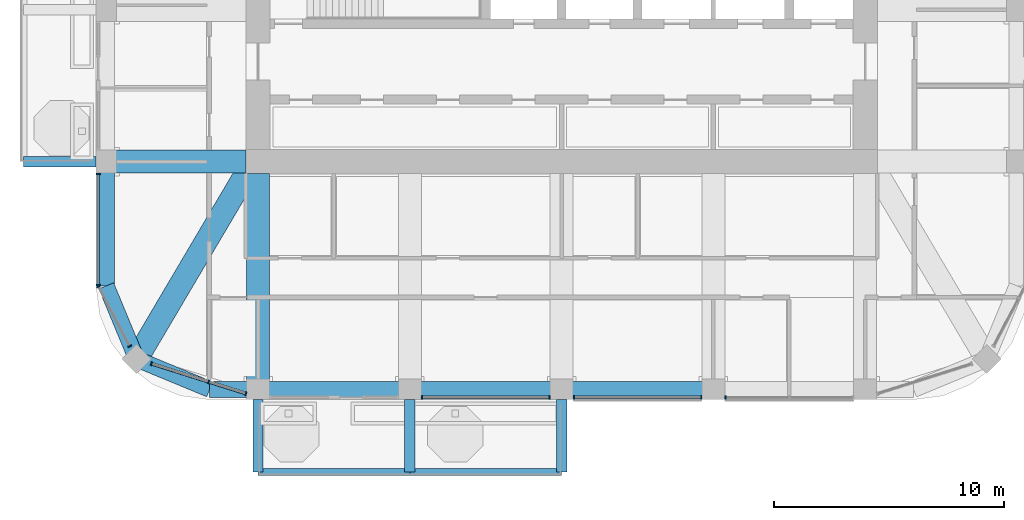
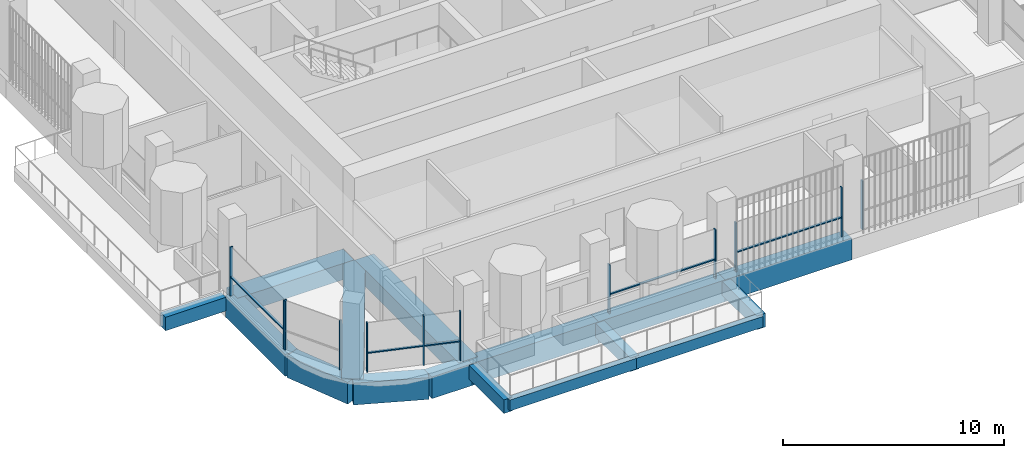
# One storey, part 2 of 20: 17 members, 16 beams, 6 elements without a shape of their own.
"""IFC4 building model written with IfcOpenShell, lengths in metres."""

from ifc_helpers import new_model, si_unit, direction, frame, origin, origin_2d, place, context, subcontext, project, spatial, rectangle, extrude, material, material_profile, profile_set, type_object, element, aggregate, save


model = new_model("IFC4")

# Units and contexts
model_context = context("Model", 3, precision=1e-05, world=origin(), true_north=direction((0.0, 1.0)))
body_context = subcontext(model_context, "Body", "Model", "MODEL_VIEW")
ifc_project = project(units=[si_unit("LENGTHUNIT", "METRE"), si_unit("AREAUNIT", "SQUARE_METRE"), si_unit("VOLUMEUNIT", "CUBIC_METRE"), si_unit("PLANEANGLEUNIT", "RADIAN"), si_unit("MASSUNIT", "GRAM", prefix="KILO")], contexts=[model_context])

# Site, building, storey
site_placement = place(None, origin())
site = spatial("IfcSite", under=ifc_project, at=site_placement, CompositionType="ELEMENT")
building_placement = place(site_placement, origin())
building = spatial("IfcBuilding", under=site, at=building_placement, Name="Cobogo Forest Laboratory Tower", CompositionType="ELEMENT")
storey_placement = place(building_placement, frame((0.0, 0.0, 279.60009765625)))
storey = spatial("IfcBuildingStorey", under=building, at=storey_placement, Name="L64", CompositionType="ELEMENT", Elevation=279.60009765625)

# Beams
ifc_material_1 = material(Name="Concrete HA-40 (C40/50)", Category="concrete")
ifc_material_profile_1 = material_profile(ifc_material_1, rectangle(XDim=0.449951171875, YDim=0.75, at=origin_2d()), Name="RC 450x750")
ifc_profile_set_1 = profile_set([ifc_material_profile_1], Name="Concrete HA-40 (C40/50)")
beam_type_1 = type_object("IfcBeamType", Name="Balcony cantilever beam 450x750", PredefinedType="BEAM", material=ifc_profile_set_1)
for number, where, z_axis, x_axis, name in (
    (1, (13.199951171875, 2.85009765625, -0.625), (0.0, -1.0, 0.0), (1.0, 0.0, 0.0), "CB1 BAL-S1-C1 L64"),
    (2, (19.800048828125, 2.85009765625, -0.625), (0.0, -1.0, 0.0), (1.0, 0.0, 0.0), "CB1 BAL-S1-C2 L64"),
    (3, (26.39990234375, 2.85009765625, -0.625), (0.0, -1.0, 0.0), (1.0, 0.0, 0.0), "CB1 BAL-S1-C3 L64"),
):
    element("IfcBeam", number, at=place(storey_placement, frame(where, z_axis=z_axis, x_axis=x_axis)), inside=storey, type_object=beam_type_1, Name=name, PredefinedType="BEAM", context=body_context, shape_type="SweptSolid", body=[
        extrude(rectangle(XDim=0.449951171875, YDim=0.75, at=origin_2d()), origin(), (0.0, 0.0, 1.0), 3.150146484375),
    ])
beam_1_placement = place(storey_placement, frame((6.14990234375, 13.199951171875, -0.625), z_axis=(-1.0, 0.0, 0.0), x_axis=(0.0, -1.0, 0.0)))
element("IfcBeam", 4, at=beam_1_placement, inside=storey, type_object=beam_type_1, Name="CB1 BAL-W1-C1 L64", PredefinedType="BEAM", context=body_context, shape_type="SweptSolid", body=[
    extrude(rectangle(XDim=0.449951171875, YDim=0.75, at=origin_2d()), origin(), (0.0, 0.0, 1.0), 3.14990234375),
])
ifc_material_profile_2 = material_profile(ifc_material_1, rectangle(XDim=0.300048828125, YDim=0.60009765625, at=origin_2d()), Name="RC 300x600")
ifc_profile_set_2 = profile_set([ifc_material_profile_2], Name="Concrete HA-40 (C40/50)")
beam_type_2 = type_object("IfcBeamType", Name="Balcony edge beam 300x600", PredefinedType="BEAM", material=ifc_profile_set_2)
beam_2_placement = place(storey_placement, frame((13.199951171875, -0.300048828125, -0.550048828125), z_axis=(1.0, 0.0, 0.0), x_axis=(0.0, 1.0, 0.0)))
element("IfcBeam", 5, at=beam_2_placement, inside=storey, type_object=beam_type_2, Name="BB1 BAL-S1-T1 L64", PredefinedType="BEAM", context=body_context, shape_type="SweptSolid", body=[
    extrude(rectangle(XDim=0.300048828125, YDim=0.60009765625, at=origin_2d()), origin(), (0.0, 0.0, 1.0), 6.60009765625),
])
beam_3_placement = place(storey_placement, frame((19.800048828125, -0.300048828125, -0.550048828125), z_axis=(1.0, 0.0, 0.0), x_axis=(0.0, 1.0, 0.0)))
element("IfcBeam", 6, at=beam_3_placement, inside=storey, type_object=beam_type_2, Name="BB1 BAL-S1-T2 L64", PredefinedType="BEAM", context=body_context, shape_type="SweptSolid", body=[
    extrude(rectangle(XDim=0.300048828125, YDim=0.60009765625, at=origin_2d()), origin(), (0.0, 0.0, 1.0), 6.599853515625),
])

# Curtain wall, members
ifc_material_2 = material(Name="Aluminium curtain wall", Category="aluminium")
curtain_wall_type = type_object("IfcCurtainWallType", Name="CW-2 unitised curtain wall, solar control glazing, laboratory floors zones C and D", PredefinedType="USERDEFINED", material=ifc_material_2)
curtain_wall_1_placement = place(storey_placement, origin())
curtain_wall_1 = element("IfcCurtainWall", 7, at=curtain_wall_1_placement, inside=storey, type_object=curtain_wall_type, Name="Curtain wall 02 L64", ObjectType="UNITISED CURTAIN WALL", PredefinedType="USERDEFINED")
ifc_material_3 = material(Name="Aluminium mullion", Category="aluminium")
ifc_material_profile_3 = material_profile(ifc_material_3, rectangle(XDim=0.06005859375, YDim=0.159912109375, at=origin_2d()), Name="AL 60x160")
ifc_profile_set_3 = profile_set([ifc_material_profile_3], Name="Aluminium mullion")
member_type_1 = type_object("IfcMemberType", Name="MU-1 aluminium mullion 60x160", PredefinedType="MULLION", material=ifc_profile_set_3)
member_1_placement = place(storey_placement, frame((20.330078125, 2.949951171875, 0.0), z_axis=(0.0, 0.0, 1.0), x_axis=(1.0, 0.0, 0.0)))
member_1 = element("IfcMember", 8, at=member_1_placement, type_object=member_type_1, Name="CW-2 mullion 1", PredefinedType="MULLION", context=body_context, shape_type="SweptSolid", body=[
    extrude(rectangle(XDim=0.06005859375, YDim=0.159912109375, at=origin_2d()), origin(), (0.0, 0.0, 1.0), 2.699951171875),
])
member_2_placement = place(storey_placement, frame((25.8701171875, 2.949951171875, 0.0), z_axis=(0.0, 0.0, 1.0), x_axis=(1.0, 0.0, 0.0)))
member_2 = element("IfcMember", 9, at=member_2_placement, type_object=member_type_1, Name="CW-2 mullion 2", PredefinedType="MULLION", context=body_context, shape_type="SweptSolid", body=[
    extrude(rectangle(XDim=0.06005859375, YDim=0.159912109375, at=origin_2d()), origin(), (0.0, 0.0, 1.0), 2.699951171875),
])

curtain_wall_2_placement = place(storey_placement, origin())
curtain_wall_2 = element("IfcCurtainWall", 10, at=curtain_wall_2_placement, inside=storey, type_object=curtain_wall_type, Name="Curtain wall 03 L64", ObjectType="UNITISED CURTAIN WALL", PredefinedType="USERDEFINED")
member_3_placement = place(storey_placement, frame((26.929931640625, 2.949951171875, 0.0), z_axis=(0.0, 0.0, 1.0), x_axis=(1.0, 0.0, 0.0)))
member_3 = element("IfcMember", 11, at=member_3_placement, type_object=member_type_1, Name="CW-2 mullion 1", PredefinedType="MULLION", context=body_context, shape_type="SweptSolid", body=[
    extrude(rectangle(XDim=0.06005859375, YDim=0.159912109375, at=origin_2d()), origin(), (0.0, 0.0, 1.0), 2.699951171875),
])
member_4_placement = place(storey_placement, frame((32.469970703125, 2.949951171875, 0.0), z_axis=(0.0, 0.0, 1.0), x_axis=(1.0, 0.0, 0.0)))
member_4 = element("IfcMember", 12, at=member_4_placement, type_object=member_type_1, Name="CW-2 mullion 2", PredefinedType="MULLION", context=body_context, shape_type="SweptSolid", body=[
    extrude(rectangle(XDim=0.06005859375, YDim=0.159912109375, at=origin_2d()), origin(), (0.0, 0.0, 1.0), 2.699951171875),
])

# Curtain wall, member
curtain_wall_3_placement = place(storey_placement, origin())
curtain_wall_3 = element("IfcCurtainWall", 13, at=curtain_wall_3_placement, inside=storey, type_object=curtain_wall_type, Name="Curtain wall 04 L64", ObjectType="UNITISED CURTAIN WALL", PredefinedType="USERDEFINED")
member_5_placement = place(storey_placement, frame((33.530029296875, 2.949951171875, 0.0), z_axis=(0.0, 0.0, 1.0), x_axis=(1.0, 0.0, 0.0)))
member_5 = element("IfcMember", 14, at=member_5_placement, type_object=member_type_1, Name="CW-2 mullion 1", PredefinedType="MULLION", context=body_context, shape_type="SweptSolid", body=[
    extrude(rectangle(XDim=0.06005859375, YDim=0.159912109375, at=origin_2d()), origin(), (0.0, 0.0, 1.0), 2.699951171875),
])
aggregate(curtain_wall_3, [member_5])

# Curtain wall, members
curtain_wall_4_placement = place(storey_placement, origin())
curtain_wall_4 = element("IfcCurtainWall", 15, at=curtain_wall_4_placement, inside=storey, type_object=curtain_wall_type, Name="Curtain wall 24 L64", ObjectType="UNITISED CURTAIN WALL", PredefinedType="USERDEFINED")
member_6_placement = place(storey_placement, frame((6.25, 12.669921875, 0.0), z_axis=(0.0, 0.0, 1.0), x_axis=(0.0, -1.0, 0.0)))
member_6 = element("IfcMember", 16, at=member_6_placement, type_object=member_type_1, Name="CW-2 mullion 1", PredefinedType="MULLION", context=body_context, shape_type="SweptSolid", body=[
    extrude(rectangle(XDim=0.06005859375, YDim=0.159912109375, at=origin_2d()), origin(), (0.0, 0.0, 1.0), 2.699951171875),
])
member_7_placement = place(storey_placement, frame((6.25, 7.830078125, 0.0), z_axis=(0.0, 0.0, 1.0), x_axis=(0.0, -1.0, 0.0)))
member_7 = element("IfcMember", 17, at=member_7_placement, type_object=member_type_1, Name="CW-2 mullion 2", PredefinedType="MULLION", context=body_context, shape_type="SweptSolid", body=[
    extrude(rectangle(XDim=0.06005859375, YDim=0.159912109375, at=origin_2d()), origin(), (0.0, 0.0, 1.0), 2.699951171875),
])

curtain_wall_5_placement = place(storey_placement, origin())
curtain_wall_5 = element("IfcCurtainWall", 18, at=curtain_wall_5_placement, inside=storey, type_object=curtain_wall_type, Name="Curtain wall 25 L64", ObjectType="UNITISED CURTAIN WALL", PredefinedType="USERDEFINED")
member_8_placement = place(storey_placement, frame((6.263916015625, 7.7734375, 0.0), z_axis=(0.0, 0.0, 1.0), x_axis=(0.464283778337, -0.885686498245, 0.0)))
member_8 = element("IfcMember", 19, at=member_8_placement, type_object=member_type_1, Name="CW-2 mullion 1", PredefinedType="MULLION", context=body_context, shape_type="SweptSolid", body=[
    extrude(rectangle(XDim=0.06005859375, YDim=0.159912109375, at=origin_2d()), origin(), (0.0, 0.0, 1.0), 2.699951171875),
])
member_9_placement = place(storey_placement, frame((7.6220703125, 5.1826171875, 0.0), z_axis=(0.0, 0.0, 1.0), x_axis=(0.464283778337, -0.885686498245, 0.0)))
member_9 = element("IfcMember", 20, at=member_9_placement, type_object=member_type_1, Name="CW-2 mullion 2", PredefinedType="MULLION", context=body_context, shape_type="SweptSolid", body=[
    extrude(rectangle(XDim=0.06005859375, YDim=0.159912109375, at=origin_2d()), origin(), (0.0, 0.0, 1.0), 2.699951171875),
])
aggregate(curtain_wall_5, [member_8, member_9])

curtain_wall_6_placement = place(storey_placement, origin())
curtain_wall_6 = element("IfcCurtainWall", 21, at=curtain_wall_6_placement, inside=storey, type_object=curtain_wall_type, Name="Curtain wall 26 L64", ObjectType="UNITISED CURTAIN WALL", PredefinedType="USERDEFINED")
member_10_placement = place(storey_placement, frame((8.570068359375, 4.412109375, 0.0), z_axis=(0.0, 0.0, 1.0), x_axis=(0.953581379409, -0.301135439371, 0.0)))
member_10 = element("IfcMember", 22, at=member_10_placement, type_object=member_type_1, Name="CW-2 mullion 1", PredefinedType="MULLION", context=body_context, shape_type="SweptSolid", body=[
    extrude(rectangle(XDim=0.06005859375, YDim=0.159912109375, at=origin_2d()), origin(), (0.0, 0.0, 1.0), 2.699951171875),
])
member_11_placement = place(storey_placement, frame((11.051025390625, 3.628662109375, 0.0), z_axis=(0.0, 0.0, 1.0), x_axis=(0.953581379409, -0.301135439371, 0.0)))
member_11 = element("IfcMember", 23, at=member_11_placement, type_object=member_type_1, Name="CW-2 mullion 2", PredefinedType="MULLION", context=body_context, shape_type="SweptSolid", body=[
    extrude(rectangle(XDim=0.06005859375, YDim=0.159912109375, at=origin_2d()), origin(), (0.0, 0.0, 1.0), 2.699951171875),
])
member_12_placement = place(storey_placement, frame((12.67138671875, 3.116943359375, 0.0), z_axis=(0.0, 0.0, 1.0), x_axis=(0.953581379409, -0.301135439371, 0.0)))
member_12 = element("IfcMember", 24, at=member_12_placement, type_object=member_type_1, Name="CW-2 mullion 3", PredefinedType="MULLION", context=body_context, shape_type="SweptSolid", body=[
    extrude(rectangle(XDim=0.06005859375, YDim=0.159912109375, at=origin_2d()), origin(), (0.0, 0.0, 1.0), 2.699951171875),
])

# Beams
ifc_material_profile_4 = material_profile(ifc_material_1, rectangle(XDim=1.0, YDim=0.89990234375, at=origin_2d()), Name="RC 1000x900")
ifc_profile_set_4 = profile_set([ifc_material_profile_4], Name="Concrete HA-40 (C40/50)")
beam_type_3 = type_object("IfcBeamType", Name="Office floor wide beam 1000x900", PredefinedType="BEAM", material=ifc_profile_set_4)
beam_4_placement = place(storey_placement, frame((13.199951171875, 12.675048828125, -0.75), z_axis=(0.0, -1.0, 0.0), x_axis=(1.0, 0.0, 0.0)))
element("IfcBeam", 25, at=beam_4_placement, inside=storey, type_object=beam_type_3, Name="RB2 R-3-S L64", PredefinedType="BEAM", context=body_context, shape_type="SweptSolid", body=[
    extrude(rectangle(XDim=1.0, YDim=0.89990234375, at=origin_2d()), origin(), (0.0, 0.0, 1.0), 9.375),
])
beam_5_placement = place(storey_placement, frame((12.675048828125, 13.199951171875, -0.75), z_axis=(-1.0, 0.0, 0.0), x_axis=(0.0, -1.0, 0.0)))
element("IfcBeam", 26, at=beam_5_placement, inside=storey, type_object=beam_type_3, Name="RB2 R-C-W L64", PredefinedType="BEAM", context=body_context, shape_type="SweptSolid", body=[
    extrude(rectangle(XDim=1.0, YDim=0.89990234375, at=origin_2d()), origin(), (0.0, 0.0, 1.0), 6.074951171875),
])
beam_6_placement = place(storey_placement, frame((7.91796875, 4.617919921875, -0.75), z_axis=(0.508416325908, 0.861111397875, 0.0), x_axis=(-0.861111397875, 0.508416325908, 0.0)))
element("IfcBeam", 27, at=beam_6_placement, inside=storey, type_object=beam_type_3, Name="RB2 G-SW-D1 L64", PredefinedType="BEAM", context=body_context, shape_type="SweptSolid", body=[
    extrude(rectangle(XDim=1.0, YDim=0.89990234375, at=origin_2d()), origin(), (0.0, 0.0, 1.0), 9.356689453125),
])
ifc_material_profile_5 = material_profile(ifc_material_1, rectangle(XDim=0.699951171875, YDim=1.199951171875, at=origin_2d()), Name="RC 700x1200")
ifc_profile_set_5 = profile_set([ifc_material_profile_5], Name="Concrete HA-40 (C40/50)")
beam_type_4 = type_object("IfcBeamType", Name="Perimeter edge beam 700x1200", PredefinedType="BEAM", material=ifc_profile_set_5)
beam_7_placement = place(storey_placement, frame((13.199951171875, 3.300048828125, -0.900146484375), z_axis=(1.0, 0.0, 0.0), x_axis=(0.0, 1.0, 0.0)))
element("IfcBeam", 28, at=beam_7_placement, inside=storey, type_object=beam_type_4, Name="EB1 E-S1 L64", PredefinedType="BEAM", context=body_context, shape_type="SweptSolid", body=[
    extrude(rectangle(XDim=0.699951171875, YDim=1.199951171875, at=origin_2d()), origin(), (0.0, 0.0, 1.0), 6.60009765625),
])
beam_8_placement = place(storey_placement, frame((19.800048828125, 3.300048828125, -0.900146484375), z_axis=(1.0, 0.0, 0.0), x_axis=(0.0, 1.0, 0.0)))
element("IfcBeam", 29, at=beam_8_placement, inside=storey, type_object=beam_type_4, Name="EB1 E-S2 L64", PredefinedType="BEAM", context=body_context, shape_type="SweptSolid", body=[
    extrude(rectangle(XDim=0.699951171875, YDim=1.199951171875, at=origin_2d()), origin(), (0.0, 0.0, 1.0), 6.599853515625),
])
beam_9_placement = place(storey_placement, frame((26.39990234375, 3.300048828125, -0.900146484375), z_axis=(1.0, 0.0, 0.0), x_axis=(0.0, 1.0, 0.0)))
element("IfcBeam", 30, at=beam_9_placement, inside=storey, type_object=beam_type_4, Name="EB1 E-S3 L64", PredefinedType="BEAM", context=body_context, shape_type="SweptSolid", body=[
    extrude(rectangle(XDim=0.699951171875, YDim=1.199951171875, at=origin_2d()), origin(), (0.0, 0.0, 1.0), 6.60009765625),
])
beam_10_placement = place(storey_placement, frame((13.199951171875, 3.300048828125, -0.900146484375), z_axis=(-1.0, 0.0, 0.0), x_axis=(0.0, -1.0, 0.0)))
element("IfcBeam", 31, at=beam_10_placement, inside=storey, type_object=beam_type_4, Name="EB1 E-SWS1 L64", PredefinedType="BEAM", context=body_context, shape_type="SweptSolid", body=[
    extrude(rectangle(XDim=0.699951171875, YDim=1.199951171875, at=origin_2d()), origin(), (0.0, 0.0, 1.0), 2.099853515625),
])
beam_11_placement = place(storey_placement, frame((11.10009765625, 3.300048828125, -0.900146484375), z_axis=(-0.923901072997, 0.382631424892, 0.0), x_axis=(-0.382631424892, -0.923901072997, 0.0)))
element("IfcBeam", 32, at=beam_11_placement, inside=storey, type_object=beam_type_4, Name="EB1 E-SWS2 L64", PredefinedType="BEAM", context=body_context, shape_type="SweptSolid", body=[
    extrude(rectangle(XDim=0.699951171875, YDim=1.199951171875, at=origin_2d()), origin(), (0.0, 0.0, 1.0), 3.4443359375),
])
beam_12_placement = place(storey_placement, frame((6.60009765625, 13.199951171875, -0.900146484375), z_axis=(0.0, -1.0, 0.0), x_axis=(1.0, 0.0, 0.0)))
element("IfcBeam", 33, at=beam_12_placement, inside=storey, type_object=beam_type_4, Name="EB1 E-SWW1 L64", PredefinedType="BEAM", context=body_context, shape_type="SweptSolid", body=[
    extrude(rectangle(XDim=0.699951171875, YDim=1.199951171875, at=origin_2d()), origin(), (0.0, 0.0, 1.0), 5.39990234375),
])
beam_13_placement = place(storey_placement, frame((6.60009765625, 7.800048828125, -0.900146484375), z_axis=(0.382631424892, -0.923901072997, 0.0), x_axis=(0.923901072997, 0.382631424892, 0.0)))
element("IfcBeam", 34, at=beam_13_placement, inside=storey, type_object=beam_type_4, Name="EB1 E-SWW2 L64", PredefinedType="BEAM", context=body_context, shape_type="SweptSolid", body=[
    extrude(rectangle(XDim=0.699951171875, YDim=1.199951171875, at=origin_2d()), origin(), (0.0, 0.0, 1.0), 3.4443359375),
])

# Member
ifc_material_4 = material(Name="Aluminium transom", Category="aluminium")
ifc_material_profile_6 = material_profile(ifc_material_4, rectangle(XDim=0.1201171875, YDim=0.06005859375, at=origin_2d()), Name="AL 60x120")
ifc_profile_set_6 = profile_set([ifc_material_profile_6], Name="Aluminium transom")
member_type_2 = type_object("IfcMemberType", Name="TR-1 aluminium transom 60x120", PredefinedType="USERDEFINED", material=ifc_profile_set_6)
member_13_placement = place(storey_placement, frame((20.360107421875, 2.949951171875, 1.0498046875), z_axis=(1.0, 0.0, 0.0), x_axis=(0.0, 1.0, 0.0)))
member_13 = element("IfcMember", 35, at=member_13_placement, type_object=member_type_2, Name="CW-2 transom 1.1", ObjectType="TRANSOM", PredefinedType="USERDEFINED", context=body_context, shape_type="SweptSolid", body=[
    extrude(rectangle(XDim=0.1201171875, YDim=0.06005859375, at=origin_2d()), origin(), (0.0, 0.0, 1.0), 5.47998046875),
])

aggregate(curtain_wall_1, [member_1, member_2, member_13])

member_14_placement = place(storey_placement, frame((26.9599609375, 2.949951171875, 1.0498046875), z_axis=(1.0, 0.0, 0.0), x_axis=(0.0, 1.0, 0.0)))
member_14 = element("IfcMember", 36, at=member_14_placement, type_object=member_type_2, Name="CW-2 transom 1.1", ObjectType="TRANSOM", PredefinedType="USERDEFINED", context=body_context, shape_type="SweptSolid", body=[
    extrude(rectangle(XDim=0.1201171875, YDim=0.06005859375, at=origin_2d()), origin(), (0.0, 0.0, 1.0), 5.47998046875),
])

aggregate(curtain_wall_2, [member_3, member_4, member_14])

member_15_placement = place(storey_placement, frame((6.25, 12.639892578125, 1.0498046875), z_axis=(0.0, -1.0, 0.0), x_axis=(1.0, 0.0, 0.0)))
member_15 = element("IfcMember", 37, at=member_15_placement, type_object=member_type_2, Name="CW-2 transom 1.1", ObjectType="TRANSOM", PredefinedType="USERDEFINED", context=body_context, shape_type="SweptSolid", body=[
    extrude(rectangle(XDim=0.1201171875, YDim=0.06005859375, at=origin_2d()), origin(), (0.0, 0.0, 1.0), 4.77978515625),
])

aggregate(curtain_wall_4, [member_6, member_7, member_15])

member_16_placement = place(storey_placement, frame((8.5986328125, 4.403076171875, 1.0498046875), z_axis=(0.953578309712, -0.301145159761, 0.0), x_axis=(0.301145159761, 0.953578309712, 0.0)))
member_16 = element("IfcMember", 38, at=member_16_placement, type_object=member_type_2, Name="CW-2 transom 1.1", ObjectType="TRANSOM", PredefinedType="USERDEFINED", context=body_context, shape_type="SweptSolid", body=[
    extrude(rectangle(XDim=0.1201171875, YDim=0.06005859375, at=origin_2d()), origin(), (0.0, 0.0, 1.0), 2.54150390625),
])

member_17_placement = place(storey_placement, frame((11.07958984375, 3.61962890625, 1.0498046875), z_axis=(0.953582665134, -0.301131367937, 0.0), x_axis=(0.301131367937, 0.953582665134, 0.0)))
member_17 = element("IfcMember", 39, at=member_17_placement, type_object=member_type_2, Name="CW-2 transom 2.1", ObjectType="TRANSOM", PredefinedType="USERDEFINED", context=body_context, shape_type="SweptSolid", body=[
    extrude(rectangle(XDim=0.1201171875, YDim=0.06005859375, at=origin_2d()), origin(), (0.0, 0.0, 1.0), 1.639404296875),
])

aggregate(curtain_wall_6, [member_10, member_11, member_12, member_16, member_17])

save(model, "model.ifc")
